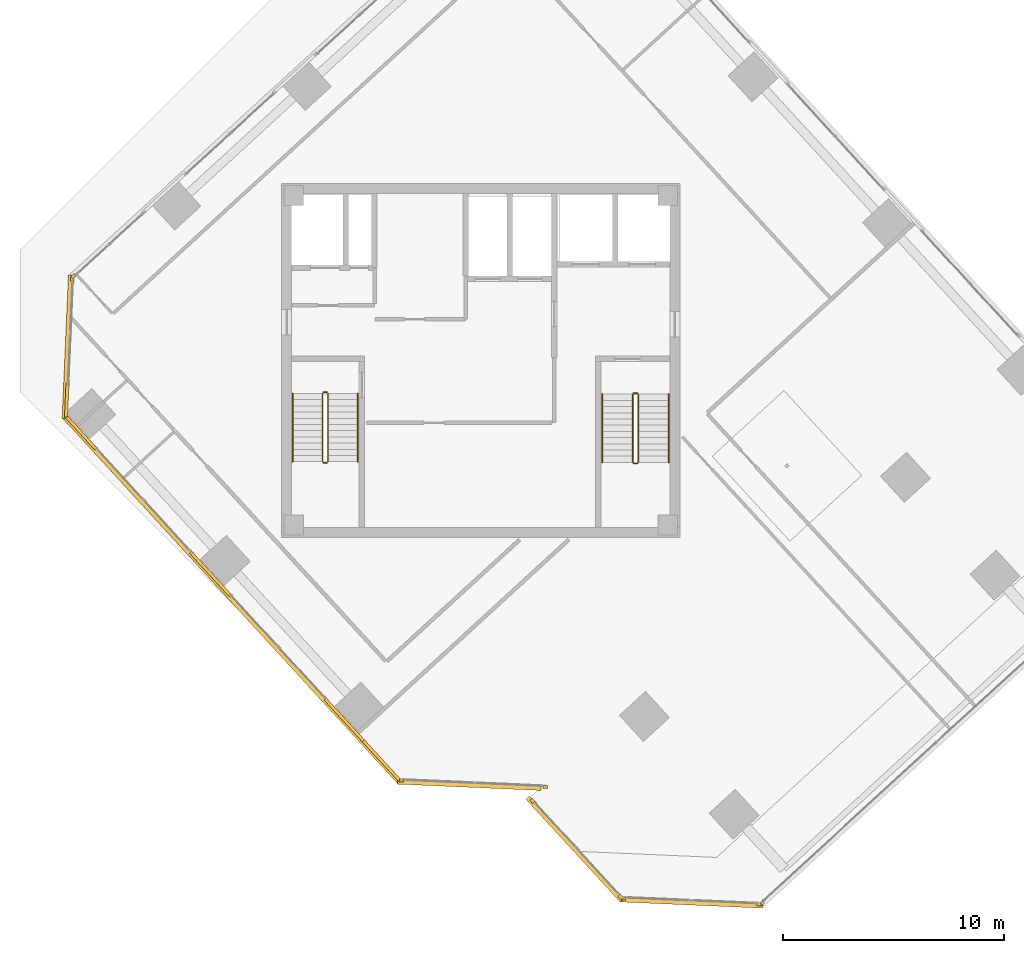
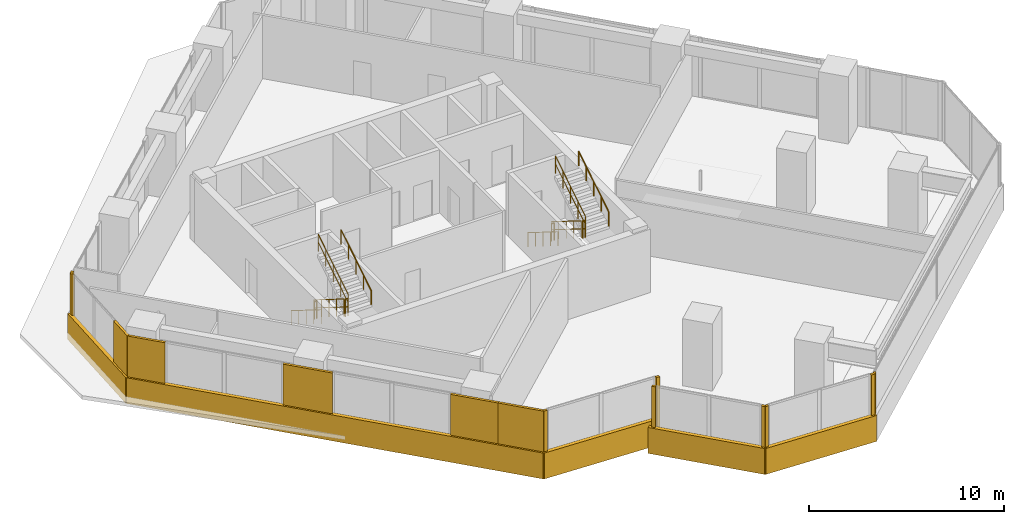
# One storey, part 15 of 17: 19 coverings, 12 railings.
"""IFC4 building model written with IfcOpenShell, lengths in metres."""

from ifc_helpers import new_model, si_unit, direction, frame, origin, origin_2d, place, context, subcontext, project, spatial, rectangle, circle, extrude, source, transform, mapped, material, layer, layer_set, type_object, element, save


model = new_model("IFC4")

# Units and contexts
model_context = context("Model", 3, precision=1e-05, world=origin(), true_north=direction((0.0, 1.0)))
body_context = subcontext(model_context, "Body", "Model", "MODEL_VIEW")
ifc_project = project(units=[si_unit("LENGTHUNIT", "METRE"), si_unit("AREAUNIT", "SQUARE_METRE"), si_unit("VOLUMEUNIT", "CUBIC_METRE"), si_unit("PLANEANGLEUNIT", "RADIAN"), si_unit("MASSUNIT", "GRAM", prefix="KILO")], contexts=[model_context])

# Site, building, storey
site_placement = place(None, origin())
site = spatial("IfcSite", under=ifc_project, at=site_placement, CompositionType="ELEMENT")
building_placement = place(site_placement, origin())
building = spatial("IfcBuilding", under=site, at=building_placement, Name="Torre Montelarca", CompositionType="ELEMENT")
storey_placement = place(building_placement, frame((0.0, 0.0, 254.199951171875)))
storey = spatial("IfcBuildingStorey", under=building, at=storey_placement, Name="L57", CompositionType="ELEMENT", Elevation=254.199951171875)

# Railings
ifc_material_1 = material(Name="Powder-coated steel ASTM A500 Grade C", Category="steel")
railing_type_1 = type_object("IfcRailingType", Name="RL-GUARD-1100", PredefinedType="BALUSTRADE", material=ifc_material_1)
railing_1_placement = place(storey_placement, frame((10.85009765625, 30.5, 0.175048828125)))
element("IfcRailing", 1, at=railing_1_placement, inside=storey, type_object=railing_type_1, Name="L57 ST1 stair guard 1", PredefinedType="BALUSTRADE", context=body_context, shape_type="SweptSolid", body=[
    extrude(circle(Radius=0.02392578125, at=origin_2d()), frame((0.0, 0.0, 1.076171875), z_axis=(0.0, -0.847998304005, 0.529998940003), x_axis=(1.0, 0.0, 0.0)), (0.0, 0.0, 1.0), 3.632080078125),
    extrude(circle(Radius=0.02099609375, at=origin_2d()), frame((0.0, 0.0, 0.572021484375), z_axis=(0.0, -0.847998304005, 0.529998940003), x_axis=(1.0, 0.0, 0.0)), (0.0, 0.0, 1.0), 3.632080078125),
    extrude(circle(Radius=0.02099609375, at=origin_2d()), origin(), (0.0, 0.0, 1.0), 1.052001953125),
    extrude(circle(Radius=0.02099609375, at=origin_2d()), frame((0.0, -0.77001953125, 0.481201171875)), (0.0, 0.0, 1.0), 1.052001953125),
    extrude(circle(Radius=0.02099609375, at=origin_2d()), frame((0.0, -1.5400390625, 0.96240234375)), (0.0, 0.0, 1.0), 1.052001953125),
    extrude(circle(Radius=0.02099609375, at=origin_2d()), frame((0.0, -2.31005859375, 1.44384765625)), (0.0, 0.0, 1.0), 1.052001953125),
    extrude(circle(Radius=0.02099609375, at=origin_2d()), frame((0.0, -3.080078125, 1.925048828125)), (0.0, 0.0, 1.0), 1.052001953125),
])
railing_2_placement = place(storey_placement, frame((10.89990234375, 27.3701171875, 2.10009765625)))
element("IfcRailing", 2, at=railing_2_placement, inside=storey, type_object=railing_type_1, Name="L57 ST1 stair guard 2", PredefinedType="BALUSTRADE", context=body_context, shape_type="SweptSolid", body=[
    extrude(circle(Radius=0.02392578125, at=origin_2d()), frame((0.0, 0.0, 1.076171875), z_axis=(1.0, 0.0, 0.0), x_axis=(0.0, 1.0, 0.0)), (0.0, 0.0, 1.0), 0.150146484375),
    extrude(circle(Radius=0.02099609375, at=origin_2d()), frame((0.0, 0.0, 0.572021484375), z_axis=(1.0, 0.0, 0.0), x_axis=(0.0, 1.0, 0.0)), (0.0, 0.0, 1.0), 0.150146484375),
    extrude(circle(Radius=0.02099609375, at=origin_2d()), origin(), (0.0, 0.0, 1.0), 1.052001953125),
    extrude(circle(Radius=0.02099609375, at=origin_2d()), frame((0.150146484375, 0.0, 0.0)), (0.0, 0.0, 1.0), 1.052001953125),
])
railing_3_placement = place(storey_placement, frame((11.10009765625, 27.419921875, 2.275146484375)))
element("IfcRailing", 3, at=railing_3_placement, inside=storey, type_object=railing_type_1, Name="L57 ST1 stair guard 3", PredefinedType="BALUSTRADE", context=body_context, shape_type="SweptSolid", body=[
    extrude(circle(Radius=0.02392578125, at=origin_2d()), frame((0.0, 0.0, 1.076171875), z_axis=(0.0, 0.848028513186, 0.529950602248), x_axis=(-1.0, 0.0, 0.0)), (0.0, 0.0, 1.0), 3.632080078125),
    extrude(circle(Radius=0.02099609375, at=origin_2d()), frame((0.0, 0.0, 0.572021484375), z_axis=(0.0, 0.848028513186, 0.529950602248), x_axis=(-1.0, 0.0, 0.0)), (0.0, 0.0, 1.0), 3.632080078125),
    extrude(circle(Radius=0.02099609375, at=origin_2d()), origin(), (0.0, 0.0, 1.0), 1.052001953125),
    extrude(circle(Radius=0.02099609375, at=origin_2d()), frame((0.0, 0.77001953125, 0.481201171875)), (0.0, 0.0, 1.0), 1.052001953125),
    extrude(circle(Radius=0.02099609375, at=origin_2d()), frame((0.0, 1.5400390625, 0.96240234375)), (0.0, 0.0, 1.0), 1.052001953125),
    extrude(circle(Radius=0.02099609375, at=origin_2d()), frame((0.0, 2.31005859375, 1.443603515625)), (0.0, 0.0, 1.0), 1.052001953125),
    extrude(circle(Radius=0.02099609375, at=origin_2d()), frame((0.0, 3.080078125, 1.9248046875)), (0.0, 0.0, 1.0), 1.052001953125),
])
railing_4_placement = place(storey_placement, frame((10.89990234375, 30.550048828125, 0.0)))
element("IfcRailing", 4, at=railing_4_placement, inside=storey, type_object=railing_type_1, Name="L57 ST1 stair guard 4", PredefinedType="BALUSTRADE", context=body_context, shape_type="SweptSolid", body=[
    extrude(circle(Radius=0.02392578125, at=origin_2d()), frame((0.0, 0.0, 1.076171875), z_axis=(1.0, 0.0, 0.0), x_axis=(0.0, 1.0, 0.0)), (0.0, 0.0, 1.0), 0.150146484375),
    extrude(circle(Radius=0.02099609375, at=origin_2d()), frame((0.0, 0.0, 0.572021484375), z_axis=(1.0, 0.0, 0.0), x_axis=(0.0, 1.0, 0.0)), (0.0, 0.0, 1.0), 0.150146484375),
    extrude(circle(Radius=0.02099609375, at=origin_2d()), origin(), (0.0, 0.0, 1.0), 1.052001953125),
    extrude(circle(Radius=0.02099609375, at=origin_2d()), frame((0.150146484375, 0.0, 0.0)), (0.0, 0.0, 1.0), 1.052001953125),
])
railing_5_placement = place(storey_placement, frame((24.8701171875, 30.469970703125, 0.175048828125)))
element("IfcRailing", 5, at=railing_5_placement, inside=storey, type_object=railing_type_1, Name="L57 ST2 stair guard 1", PredefinedType="BALUSTRADE", context=body_context, shape_type="SweptSolid", body=[
    extrude(circle(Radius=0.02392578125, at=origin_2d()), frame((0.0, 0.0, 1.076171875), z_axis=(0.0, -0.847998304005, 0.529998940003), x_axis=(1.0, 0.0, 0.0)), (0.0, 0.0, 1.0), 3.632080078125),
    extrude(circle(Radius=0.02099609375, at=origin_2d()), frame((0.0, 0.0, 0.572021484375), z_axis=(0.0, -0.847998304005, 0.529998940003), x_axis=(1.0, 0.0, 0.0)), (0.0, 0.0, 1.0), 3.632080078125),
    extrude(circle(Radius=0.02099609375, at=origin_2d()), origin(), (0.0, 0.0, 1.0), 1.052001953125),
    extrude(circle(Radius=0.02099609375, at=origin_2d()), frame((0.0, -0.77001953125, 0.481201171875)), (0.0, 0.0, 1.0), 1.052001953125),
    extrude(circle(Radius=0.02099609375, at=origin_2d()), frame((0.0, -1.5400390625, 0.96240234375)), (0.0, 0.0, 1.0), 1.052001953125),
    extrude(circle(Radius=0.02099609375, at=origin_2d()), frame((0.0, -2.31005859375, 1.44384765625)), (0.0, 0.0, 1.0), 1.052001953125),
    extrude(circle(Radius=0.02099609375, at=origin_2d()), frame((0.0, -3.080078125, 1.925048828125)), (0.0, 0.0, 1.0), 1.052001953125),
])
railing_6_placement = place(storey_placement, frame((24.919921875, 27.340087890625, 2.10009765625)))
element("IfcRailing", 6, at=railing_6_placement, inside=storey, type_object=railing_type_1, Name="L57 ST2 stair guard 2", PredefinedType="BALUSTRADE", context=body_context, shape_type="SweptSolid", body=[
    extrude(circle(Radius=0.02392578125, at=origin_2d()), frame((0.0, 0.0, 1.076171875), z_axis=(1.0, 0.0, 0.0), x_axis=(0.0, 1.0, 0.0)), (0.0, 0.0, 1.0), 0.150146484375),
    extrude(circle(Radius=0.02099609375, at=origin_2d()), frame((0.0, 0.0, 0.572021484375), z_axis=(1.0, 0.0, 0.0), x_axis=(0.0, 1.0, 0.0)), (0.0, 0.0, 1.0), 0.150146484375),
    extrude(circle(Radius=0.02099609375, at=origin_2d()), origin(), (0.0, 0.0, 1.0), 1.052001953125),
    extrude(circle(Radius=0.02099609375, at=origin_2d()), frame((0.150146484375, 0.0, 0.0)), (0.0, 0.0, 1.0), 1.052001953125),
])
railing_7_placement = place(storey_placement, frame((25.1201171875, 27.389892578125, 2.275146484375)))
element("IfcRailing", 7, at=railing_7_placement, inside=storey, type_object=railing_type_1, Name="L57 ST2 stair guard 3", PredefinedType="BALUSTRADE", context=body_context, shape_type="SweptSolid", body=[
    extrude(circle(Radius=0.02392578125, at=origin_2d()), frame((0.0, 0.0, 1.076171875), z_axis=(0.0, 0.848028513186, 0.529950602248), x_axis=(-1.0, 0.0, 0.0)), (0.0, 0.0, 1.0), 3.632080078125),
    extrude(circle(Radius=0.02099609375, at=origin_2d()), frame((0.0, 0.0, 0.572021484375), z_axis=(0.0, 0.848028513186, 0.529950602248), x_axis=(-1.0, 0.0, 0.0)), (0.0, 0.0, 1.0), 3.632080078125),
    extrude(circle(Radius=0.02099609375, at=origin_2d()), origin(), (0.0, 0.0, 1.0), 1.052001953125),
    extrude(circle(Radius=0.02099609375, at=origin_2d()), frame((0.0, 0.77001953125, 0.481201171875)), (0.0, 0.0, 1.0), 1.052001953125),
    extrude(circle(Radius=0.02099609375, at=origin_2d()), frame((0.0, 1.5400390625, 0.96240234375)), (0.0, 0.0, 1.0), 1.052001953125),
    extrude(circle(Radius=0.02099609375, at=origin_2d()), frame((0.0, 2.31005859375, 1.443603515625)), (0.0, 0.0, 1.0), 1.052001953125),
    extrude(circle(Radius=0.02099609375, at=origin_2d()), frame((0.0, 3.080078125, 1.9248046875)), (0.0, 0.0, 1.0), 1.052001953125),
])
railing_8_placement = place(storey_placement, frame((24.919921875, 30.52001953125, 0.0)))
element("IfcRailing", 8, at=railing_8_placement, inside=storey, type_object=railing_type_1, Name="L57 ST2 stair guard 4", PredefinedType="BALUSTRADE", context=body_context, shape_type="SweptSolid", body=[
    extrude(circle(Radius=0.02392578125, at=origin_2d()), frame((0.0, 0.0, 1.076171875), z_axis=(1.0, 0.0, 0.0), x_axis=(0.0, 1.0, 0.0)), (0.0, 0.0, 1.0), 0.150146484375),
    extrude(circle(Radius=0.02099609375, at=origin_2d()), frame((0.0, 0.0, 0.572021484375), z_axis=(1.0, 0.0, 0.0), x_axis=(0.0, 1.0, 0.0)), (0.0, 0.0, 1.0), 0.150146484375),
    extrude(circle(Radius=0.02099609375, at=origin_2d()), origin(), (0.0, 0.0, 1.0), 1.052001953125),
    extrude(circle(Radius=0.02099609375, at=origin_2d()), frame((0.150146484375, 0.0, 0.0)), (0.0, 0.0, 1.0), 1.052001953125),
])
ifc_material_2 = material(Name="Brushed stainless steel AISI 316", Category="steel")
railing_type_2 = type_object("IfcRailingType", Name="RL-HANDRAIL-900", PredefinedType="HANDRAIL", material=ifc_material_2)
railing_9_placement = place(storey_placement, frame((9.5, 30.5, 0.175048828125)))
element("IfcRailing", 9, at=railing_9_placement, inside=storey, type_object=railing_type_2, Name="L57 ST1 stair handrail 1", PredefinedType="HANDRAIL", context=body_context, shape_type="SweptSolid", body=[
    extrude(circle(Radius=0.02392578125, at=origin_2d()), frame((0.0, 0.0, 0.8759765625), z_axis=(0.0, -0.847998304005, 0.529998940003), x_axis=(1.0, 0.0, 0.0)), (0.0, 0.0, 1.0), 3.632080078125),
    extrude(circle(Radius=0.02099609375, at=origin_2d()), origin(), (0.0, 0.0, 1.0), 0.851806640625),
    extrude(circle(Radius=0.02099609375, at=origin_2d()), frame((0.0, -0.77001953125, 0.481201171875)), (0.0, 0.0, 1.0), 0.851806640625),
    extrude(circle(Radius=0.02099609375, at=origin_2d()), frame((0.0, -1.5400390625, 0.96240234375)), (0.0, 0.0, 1.0), 0.851806640625),
    extrude(circle(Radius=0.02099609375, at=origin_2d()), frame((0.0, -2.31005859375, 1.44384765625)), (0.0, 0.0, 1.0), 0.851806640625),
    extrude(circle(Radius=0.02099609375, at=origin_2d()), frame((0.0, -3.080078125, 1.925048828125)), (0.0, 0.0, 1.0), 0.851806640625),
])
railing_10_placement = place(storey_placement, frame((12.449951171875, 27.419921875, 2.275146484375)))
element("IfcRailing", 10, at=railing_10_placement, inside=storey, type_object=railing_type_2, Name="L57 ST1 stair handrail 2", PredefinedType="HANDRAIL", context=body_context, shape_type="SweptSolid", body=[
    extrude(circle(Radius=0.02392578125, at=origin_2d()), frame((0.0, 0.0, 0.8759765625), z_axis=(0.0, 0.848028513186, 0.529950602248), x_axis=(-1.0, 0.0, 0.0)), (0.0, 0.0, 1.0), 3.632080078125),
    extrude(circle(Radius=0.02099609375, at=origin_2d()), origin(), (0.0, 0.0, 1.0), 0.851806640625),
    extrude(circle(Radius=0.02099609375, at=origin_2d()), frame((0.0, 0.77001953125, 0.481201171875)), (0.0, 0.0, 1.0), 0.851806640625),
    extrude(circle(Radius=0.02099609375, at=origin_2d()), frame((0.0, 1.5400390625, 0.96240234375)), (0.0, 0.0, 1.0), 0.851806640625),
    extrude(circle(Radius=0.02099609375, at=origin_2d()), frame((0.0, 2.31005859375, 1.443603515625)), (0.0, 0.0, 1.0), 0.851806640625),
    extrude(circle(Radius=0.02099609375, at=origin_2d()), frame((0.0, 3.080078125, 1.9248046875)), (0.0, 0.0, 1.0), 0.851806640625),
])
railing_11_placement = place(storey_placement, frame((23.489990234375, 30.469970703125, 0.175048828125)))
element("IfcRailing", 11, at=railing_11_placement, inside=storey, type_object=railing_type_2, Name="L57 ST2 stair handrail 1", PredefinedType="HANDRAIL", context=body_context, shape_type="SweptSolid", body=[
    extrude(circle(Radius=0.02392578125, at=origin_2d()), frame((0.0, 0.0, 0.8759765625), z_axis=(0.0, -0.847998304005, 0.529998940003), x_axis=(1.0, 0.0, 0.0)), (0.0, 0.0, 1.0), 3.632080078125),
    extrude(circle(Radius=0.02099609375, at=origin_2d()), origin(), (0.0, 0.0, 1.0), 0.851806640625),
    extrude(circle(Radius=0.02099609375, at=origin_2d()), frame((0.0, -0.77001953125, 0.481201171875)), (0.0, 0.0, 1.0), 0.851806640625),
    extrude(circle(Radius=0.02099609375, at=origin_2d()), frame((0.0, -1.5400390625, 0.96240234375)), (0.0, 0.0, 1.0), 0.851806640625),
    extrude(circle(Radius=0.02099609375, at=origin_2d()), frame((0.0, -2.31005859375, 1.44384765625)), (0.0, 0.0, 1.0), 0.851806640625),
    extrude(circle(Radius=0.02099609375, at=origin_2d()), frame((0.0, -3.080078125, 1.925048828125)), (0.0, 0.0, 1.0), 0.851806640625),
])
railing_12_placement = place(storey_placement, frame((26.5, 27.389892578125, 2.275146484375)))
element("IfcRailing", 12, at=railing_12_placement, inside=storey, type_object=railing_type_2, Name="L57 ST2 stair handrail 2", PredefinedType="HANDRAIL", context=body_context, shape_type="SweptSolid", body=[
    extrude(circle(Radius=0.02392578125, at=origin_2d()), frame((0.0, 0.0, 0.8759765625), z_axis=(0.0, 0.848028513186, 0.529950602248), x_axis=(-1.0, 0.0, 0.0)), (0.0, 0.0, 1.0), 3.632080078125),
    extrude(circle(Radius=0.02099609375, at=origin_2d()), origin(), (0.0, 0.0, 1.0), 0.851806640625),
    extrude(circle(Radius=0.02099609375, at=origin_2d()), frame((0.0, 0.77001953125, 0.481201171875)), (0.0, 0.0, 1.0), 0.851806640625),
    extrude(circle(Radius=0.02099609375, at=origin_2d()), frame((0.0, 1.5400390625, 0.96240234375)), (0.0, 0.0, 1.0), 0.851806640625),
    extrude(circle(Radius=0.02099609375, at=origin_2d()), frame((0.0, 2.31005859375, 1.443603515625)), (0.0, 0.0, 1.0), 0.851806640625),
    extrude(circle(Radius=0.02099609375, at=origin_2d()), frame((0.0, 3.080078125, 1.9248046875)), (0.0, 0.0, 1.0), 0.851806640625),
])

# Coverings
ifc_material_3 = material(Name="Bush-hammered warm white precast concrete C45/55", Category="concrete")
ifc_layer = layer(ifc_material_3, 0.139892578125, Name="Bush-hammered warm white precast concrete C45/55", Category="concrete")
ifc_layer_set = layer_set([ifc_layer], Name="Bush-hammered warm white precast concrete C45/55")
covering_type = type_object("IfcCoveringType", Name="COV-TRAY-CLAD", PredefinedType="CLADDING", material=ifc_layer_set)
shared_shape_1 = source(origin(), body_context, "Body", "SweptSolid", [
    extrude(rectangle(XDim=6.48388671875, YDim=0.219970703125, at=origin_2d()), origin(), (0.0, 0.0, 1.0), 1.6201171875),
])
for number, where, z_axis, x_axis, name in (
    (13, (17.477294921875, 12.8125, -0.449951171875), (0.0, 0.0, 1.0), (0.99904814545, -0.043621131033, 0.0), "L57 Architectural White Spandrel Tray Band TRYBOT-02"),
    (14, (27.5078125, 7.490966796875, -0.449951171875), (0.0, 0.0, 1.0), (0.99904814545, -0.043621131033, 0.0), "L57 Architectural White Spandrel Tray Band TRYBOT-05"),
    (15, (-0.66748046875, 32.614013671875, -0.449951171875), (0.0, 0.0, 1.0), (-0.043621131033, -0.99904814545, 0.0), "L57 Architectural White Spandrel Tray Band TRYBOT-11"),
):
    element("IfcCovering", number, at=place(storey_placement, frame(where, z_axis=z_axis, x_axis=x_axis)), inside=storey, type_object=covering_type, Name=name, PredefinedType="CLADDING", context=body_context, shape_type="MappedRepresentation", body=[
        mapped(shared_shape_1, transform((0.0, 0.0, 0.0), scale=1.0)),
    ])
shared_shape_2 = source(origin(), body_context, "Body", "SweptSolid", [
    extrude(rectangle(XDim=0.199951171875, YDim=0.139892578125, at=origin_2d()), origin(), (0.0, 0.0, 1.0), 3.719970703125),
])
for number, where, z_axis, x_axis, name in (
    (16, (14.416748046875, 13.006103515625, 0.0), (0.0, 0.0, 1.0), (0.99904814545, -0.043621131033, 0.0), "L57 Architectural Column Pier Cladding E02-1"),
    (17, (20.910400390625, 12.72265625, 0.0), (0.0, 0.0, 1.0), (0.99904814545, -0.043621131033, 0.0), "L57 Architectural Column Pier Cladding E02-2"),
    (18, (20.3349609375, 12.090087890625, 0.0), (0.0, 0.0, 1.0), (0.675585060432, -0.737282053302, 0.0), "L57 Architectural Column Pier Cladding E04-1"),
    (19, (24.315673828125, 7.745849609375, 0.0), (0.0, 0.0, 1.0), (0.675585060432, -0.737282053302, 0.0), "L57 Architectural Column Pier Cladding E04-2"),
    (20, (24.447265625, 7.6845703125, 0.0), (0.0, 0.0, 1.0), (0.999047840893, -0.043628105704, 0.0), "L57 Architectural Column Pier Cladding E05-1"),
    (21, (30.573486328125, 7.4169921875, 0.0), (0.0, 0.0, 1.0), (0.999047840893, -0.043628105704, 0.0), "L57 Architectural Column Pier Cladding E05-2"),
    (22, (30.7099609375, 7.466796875, 0.0), (0.0, 0.0, 1.0), (0.73727733681, 0.675590207616, 0.0), "L57 Architectural Column Pier Cladding E06-1"),
    (23, (-0.41259765625, 35.80615234375, 0.0), (0.0, 0.0, 1.0), (-0.737276157682, -0.675591494406, 0.0), "L57 Architectural Column Pier Cladding E10-5"),
    (24, (-0.4736328125, 35.674560546875, 0.0), (0.0, 0.0, 1.0), (-0.043628105704, -0.999047840893, 0.0), "L57 Architectural Column Pier Cladding E11-1"),
):
    element("IfcCovering", number, at=place(storey_placement, frame(where, z_axis=z_axis, x_axis=x_axis)), inside=storey, type_object=covering_type, Name=name, PredefinedType="CLADDING", context=body_context, shape_type="MappedRepresentation", body=[
        mapped(shared_shape_2, transform((0.0, 0.0, 0.0), scale=1.0)),
    ])
shared_shape_3 = source(origin(), body_context, "Body", "SweptSolid", [
    extrude(rectangle(XDim=2.01416015625, YDim=0.139892578125, at=origin_2d()), origin(), (0.0, 0.0, 1.0), 3.719970703125),
])
covering_1_placement = place(storey_placement, frame((-0.078857421875, 28.742919921875, 0.0), z_axis=(0.0, 0.0, 1.0), x_axis=(0.675590207616, -0.73727733681, 0.0)))
element("IfcCovering", 25, at=covering_1_placement, inside=storey, type_object=covering_type, Name="L57 Architectural Column Pier Cladding E01-1", PredefinedType="CLADDING", context=body_context, shape_type="MappedRepresentation", body=[
    mapped(shared_shape_3, transform((0.0, 0.0, 0.0), scale=1.0)),
])
shared_shape_4 = source(origin(), body_context, "Body", "SweptSolid", [
    extrude(rectangle(XDim=2.659912109375, YDim=0.139892578125, at=origin_2d()), origin(), (0.0, 0.0, 1.0), 3.719970703125),
])
for number, where, z_axis, x_axis, name in (
    (26, (5.783447265625, 22.345458984375, 0.0), (0.0, 0.0, 1.0), (0.675590207616, -0.73727733681, 0.0), "L57 Architectural Column Pier Cladding E01-2"),
    (27, (11.86376953125, 15.7099609375, 0.0), (0.0, 0.0, 1.0), (0.675590207616, -0.73727733681, 0.0), "L57 Architectural Column Pier Cladding E01-3"),
):
    element("IfcCovering", number, at=place(storey_placement, frame(where, z_axis=z_axis, x_axis=x_axis)), inside=storey, type_object=covering_type, Name=name, PredefinedType="CLADDING", context=body_context, shape_type="MappedRepresentation", body=[
        mapped(shared_shape_4, transform((0.0, 0.0, 0.0), scale=1.0)),
    ])
shared_shape_5 = source(origin(), body_context, "Body", "SweptSolid", [
    extrude(rectangle(XDim=2.4541015625, YDim=0.139892578125, at=origin_2d()), origin(), (0.0, 0.0, 1.0), 3.719970703125),
])
covering_2_placement = place(storey_placement, frame((13.523681640625, 13.8984375, 0.0), z_axis=(0.0, 0.0, 1.0), x_axis=(0.675590207616, -0.73727733681, 0.0)))
element("IfcCovering", 28, at=covering_2_placement, inside=storey, type_object=covering_type, Name="L57 Architectural Column Pier Cladding E01-4", PredefinedType="CLADDING", context=body_context, shape_type="MappedRepresentation", body=[
    mapped(shared_shape_5, transform((0.0, 0.0, 0.0), scale=1.0)),
])
shared_shape_6 = source(origin(), body_context, "Body", "SweptSolid", [
    extrude(rectangle(XDim=1.5263671875, YDim=0.139892578125, at=origin_2d()), origin(), (0.0, 0.0, 1.0), 3.719970703125),
])
covering_3_placement = place(storey_placement, frame((-0.71240234375, 30.210693359375, 0.0), z_axis=(0.0, 0.0, 1.0), x_axis=(-0.043628105704, -0.999047840893, 0.0)))
element("IfcCovering", 29, at=covering_3_placement, inside=storey, type_object=covering_type, Name="L57 Architectural Column Pier Cladding E11-2", PredefinedType="CLADDING", context=body_context, shape_type="MappedRepresentation", body=[
    mapped(shared_shape_6, transform((0.0, 0.0, 0.0), scale=1.0)),
])
shared_shape_7 = source(origin(), body_context, "Body", "SweptSolid", [
    extrude(rectangle(XDim=22.52001953125, YDim=0.219970703125, at=origin_2d()), origin(), (0.0, 0.0, 1.0), 1.6201171875),
])
covering_4_placement = place(storey_placement, frame((6.75244140625, 21.19921875, -0.449951171875), z_axis=(0.0, 0.0, 1.0), x_axis=(0.675590207616, -0.73727733681, 0.0)))
element("IfcCovering", 30, at=covering_4_placement, inside=storey, type_object=covering_type, Name="L57 Architectural White Spandrel Tray Band TRYBOT-01", PredefinedType="CLADDING", context=body_context, shape_type="MappedRepresentation", body=[
    mapped(shared_shape_7, transform((0.0, 0.0, 0.0), scale=1.0)),
])
shared_shape_8 = source(origin(), body_context, "Body", "SweptSolid", [
    extrude(rectangle(XDim=6.320068359375, YDim=0.219970703125, at=origin_2d()), origin(), (0.0, 0.0, 1.0), 1.6201171875),
])
covering_5_placement = place(storey_placement, frame((22.25537109375, 9.905517578125, -0.449951171875), z_axis=(0.0, 0.0, 1.0), x_axis=(0.675595354766, -0.737272620283, 0.0)))
element("IfcCovering", 31, at=covering_5_placement, inside=storey, type_object=covering_type, Name="L57 Architectural White Spandrel Tray Band TRYBOT-04", PredefinedType="CLADDING", context=body_context, shape_type="MappedRepresentation", body=[
    mapped(shared_shape_8, transform((0.0, 0.0, 0.0), scale=1.0)),
])

save(model, "model.ifc")
